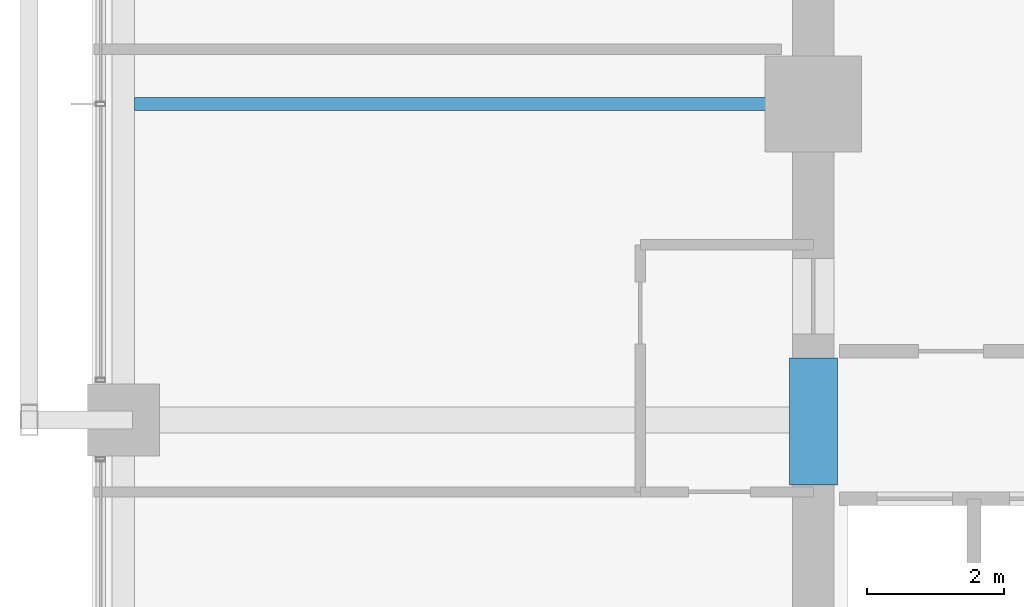
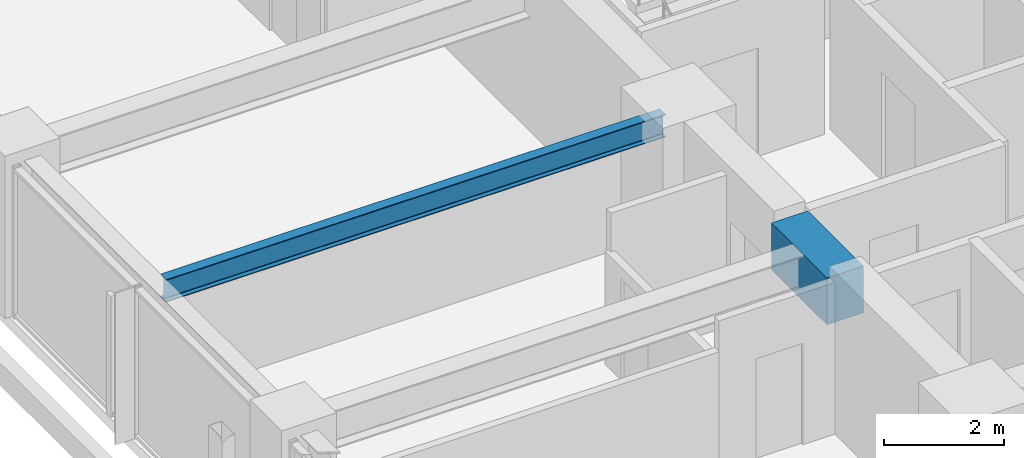
# One storey, part 10 of 38: 2 beams.
"""IFC4 building model written with IfcOpenShell, lengths in metres."""

import ifcopenshell
import ifcopenshell.guid

model = None  # the IFC model being written
_history = None  # IfcOwnerHistory: only IFC2X3 demands one
_inside = {}  # id of a spatial element -> (the spatial element, [elements in it])
_under = {}  # id of a project, library or spatial element -> (it, [spatial elements below it])
_declared = {}  # id of a project -> (the project, [libraries it declares])
_typed = {}  # id of a type object -> (the type object, [elements of that type])
_made_of = {}  # id of a material, layer set ... -> (it, [elements and type objects made of it])


def new_model(schema):
    """Start an empty IFC model of exactly this schema.

    Asked for "IFC4X3", IfcOpenShell would pick the latest addendum, in which some entities
    have other attributes; the version numbers below select the first issue.
    IFC2X3 requires an IfcOwnerHistory on every rooted entity: one is made here for all.
    """
    global model, _history
    if schema == "IFC4X3":
        model = ifcopenshell.file(schema_version=(4, 3, 0, 0))
    else:
        model = ifcopenshell.file(schema=schema)
    _inside.clear()
    _under.clear()
    _declared.clear()
    _typed.clear()
    _made_of.clear()
    _history = None
    if model.schema == "IFC2X3":
        org = make("IfcOrganization", Name="unknown")
        user = make(
            "IfcPersonAndOrganization",
            ThePerson=make("IfcPerson", FamilyName="unknown"),
            TheOrganization=org,
        )
        app = make(
            "IfcApplication",
            ApplicationDeveloper=org,
            Version="unknown",
            ApplicationFullName="unknown",
            ApplicationIdentifier="unknown",
        )
        _history = make(
            "IfcOwnerHistory",
            OwningUser=user,
            OwningApplication=app,
            ChangeAction="ADDED",
            CreationDate=0,
        )
    return model


def make(cls, **values):
    """One entity of the class cls with the attributes given. An attribute that is None is left unset."""
    return model.create_entity(
        cls, **{name: value for name, value in values.items() if value is not None}
    )


def rooted(cls, **values):
    """An entity with a GlobalId (a new one), such as an element, a storey or a relation."""
    return make(cls, GlobalId=ifcopenshell.guid.new(), OwnerHistory=_history, **values)


def si_unit(unit_type, name, prefix=None):
    """IfcSIUnit, for example si_unit("LENGTHUNIT", "METRE", prefix="MILLI")."""
    return make("IfcSIUnit", UnitType=unit_type, Prefix=prefix, Name=name)


def assignment(units):
    """IfcUnitAssignment: the units of a project."""
    return None if units is None else make("IfcUnitAssignment", Units=units)


def point(xyz):
    """IfcCartesianPoint."""
    return None if xyz is None else make("IfcCartesianPoint", Coordinates=xyz)


def direction(xyz):
    """IfcDirection."""
    return None if xyz is None else make("IfcDirection", DirectionRatios=xyz)


def frame(location, z_axis=None, x_axis=None):
    """IfcAxis2Placement3D, a coordinate frame: its origin and axes. An axis left out is left unset."""
    return make(
        "IfcAxis2Placement3D",
        Location=point(location),
        Axis=direction(z_axis),
        RefDirection=direction(x_axis),
    )


def frame_2d(location, x_axis=None):
    """IfcAxis2Placement2D, a coordinate frame in the plane: its origin and x axis."""
    return make(
        "IfcAxis2Placement2D", Location=point(location), RefDirection=direction(x_axis)
    )


def origin():
    """The frame at (0, 0, 0) with its axes left unset."""
    return frame((0.0, 0.0, 0.0))


def origin_2d():
    """The frame at (0, 0) in the plane with its x axis left unset."""
    return frame_2d((0.0, 0.0))


def place(relative_to, where):
    """IfcLocalPlacement: puts the frame where relative to a parent placement (None: the world)."""
    return make(
        "IfcLocalPlacement", PlacementRelTo=relative_to, RelativePlacement=where
    )


def context(
    kind, dimensions, precision=None, world=None, true_north=None, identifier=None
):
    """IfcGeometricRepresentationContext, for example the 3D "Model" context."""
    return make(
        "IfcGeometricRepresentationContext",
        ContextIdentifier=identifier,
        ContextType=kind,
        CoordinateSpaceDimension=dimensions,
        Precision=precision,
        WorldCoordinateSystem=world,
        TrueNorth=true_north,
    )


def subcontext(parent, identifier, kind, view, scale=None):
    """IfcGeometricRepresentationSubContext, for example "Body" below "Model"."""
    return make(
        "IfcGeometricRepresentationSubContext",
        ContextIdentifier=identifier,
        ContextType=kind,
        ParentContext=parent,
        TargetScale=scale,
        TargetView=view,
    )


def project(units=None, contexts=None):
    """IfcProject with its units and contexts."""
    return rooted(
        "IfcProject",
        Name="project",
        RepresentationContexts=contexts,
        UnitsInContext=assignment(units),
    )


def spatial(cls, under=None, at=None, **own):
    """A site, building, storey or space (cls), placed at a placement, below another one or the project."""
    s = rooted(cls, ObjectPlacement=at, **own)
    if under is not None:
        _under.setdefault(under.id(), (under, []))[1].append(s)
    return s


def profile(cls, at=None, kind="AREA", **sizes):
    """A parametric profile (cls). Its sizes go by their IFC names, for example OverallWidth=200.0."""
    return make(cls, ProfileType=kind, Position=at, **sizes)


def rectangle(**sizes):
    """IfcRectangleProfileDef."""
    return profile("IfcRectangleProfileDef", **sizes)


def i_section(**sizes):
    """IfcIShapeProfileDef."""
    return profile("IfcIShapeProfileDef", **sizes)


def extrude(swept, where, along, depth):
    """IfcExtrudedAreaSolid: the profile swept, set in the frame where, extruded along a direction by depth."""
    return make(
        "IfcExtrudedAreaSolid",
        SweptArea=swept,
        Position=where,
        ExtrudedDirection=direction(along),
        Depth=depth,
    )


def shape(context_of_items, identifier, shape_type, items):
    """IfcShapeRepresentation: the items that make up one representation, for example the "Body"."""
    return make(
        "IfcShapeRepresentation",
        ContextOfItems=context_of_items,
        RepresentationIdentifier=identifier,
        RepresentationType=shape_type,
        Items=items,
    )


def material(Name=None, Category=None):
    """IfcMaterial."""
    return make("IfcMaterial", Name=Name, Category=Category)


def material_profile(
    of_material, cross_section, Name=None, Category=None, Priority=None
):
    """IfcMaterialProfile: a cross section and its material."""
    return make(
        "IfcMaterialProfile",
        Name=Name,
        Material=of_material,
        Profile=cross_section,
        Priority=Priority,
        Category=Category,
    )


def profile_set(profiles, Name=None, composite=None):
    """IfcMaterialProfileSet."""
    return make(
        "IfcMaterialProfileSet",
        Name=Name,
        MaterialProfiles=profiles,
        CompositeProfile=composite,
    )


def made_of(thing, what):
    """Note that an element or type object is made of a material, layer set ...; save() writes the relation."""
    if what is not None:
        _made_of.setdefault(what.id(), (what, []))[1].append(thing)
    return thing


def type_object(cls, material=None, **own):
    """A type object (cls), such as IfcWallType, which elements share."""
    return made_of(rooted(cls, **own), material)


def element(
    cls,
    number,
    at=None,
    inside=None,
    cuts=None,
    type_object=None,
    material=None,
    context=None,
    identifier="Body",
    shape_type=None,
    held_by="IfcProductDefinitionShape",
    body=None,
    shapes=None,
    **own,
):
    """One element of the class cls, such as IfcWall. Its Tag is "e" and its number.

    at: its placement. inside: the storey or other place that contains it. cuts: it is an
    opening in that element (IfcRelVoidsElement). A single representation is given by context,
    identifier, shape_type and body (its items); several are given by shapes. held_by: the class
    of the entity that holds the representations. save() writes the other relations.
    """
    e = rooted(cls, Tag="e%d" % number, ObjectPlacement=at, **own)
    if body is not None:
        shapes = [shape(context, identifier, shape_type, body)]
    if shapes is not None:
        e.Representation = make(held_by, Representations=shapes)
    if inside is not None:
        _inside.setdefault(inside.id(), (inside, []))[1].append(e)
    if cuts is not None:
        rooted(
            "IfcRelVoidsElement", RelatingBuildingElement=cuts, RelatedOpeningElement=e
        )
    if type_object is not None:
        _typed.setdefault(type_object.id(), (type_object, []))[1].append(e)
    return made_of(e, material)


def aggregate(whole, parts):
    """IfcRelAggregates: a whole, such as a stair, and the parts it consists of."""
    return rooted("IfcRelAggregates", RelatingObject=whole, RelatedObjects=parts)


def save(model, path):
    """Write the relations noted so far, then the file.

    IfcRelAggregates (storeys below a building ...), IfcRelContainedInSpatialStructure (elements
    in a storey), IfcRelDefinesByType, IfcRelAssociatesMaterial and IfcRelDeclares: one each for
    every whole, place, type object, material and project.
    """
    for whole, parts in _under.values():
        aggregate(whole, parts)
    for where, things in _inside.values():
        rooted(
            "IfcRelContainedInSpatialStructure",
            RelatedElements=things,
            RelatingStructure=where,
        )
    for kind, things in _typed.values():
        rooted("IfcRelDefinesByType", RelatedObjects=things, RelatingType=kind)
    for what, things in _made_of.values():
        rooted("IfcRelAssociatesMaterial", RelatedObjects=things, RelatingMaterial=what)
    for by, libraries in _declared.values():
        rooted("IfcRelDeclares", RelatingContext=by, RelatedDefinitions=libraries)
    model.write(path)


model = new_model("IFC4")

# Units and contexts
model_context = context("Model", 3, precision=1e-05, world=origin(), true_north=direction((0.0, 1.0)))
body_context = subcontext(model_context, "Body", "Model", "MODEL_VIEW")
ifc_project = project(units=[si_unit("LENGTHUNIT", "METRE"), si_unit("AREAUNIT", "SQUARE_METRE"), si_unit("VOLUMEUNIT", "CUBIC_METRE"), si_unit("PLANEANGLEUNIT", "RADIAN"), si_unit("MASSUNIT", "GRAM", prefix="KILO")], contexts=[model_context])

# Site, building, storey
site_placement = place(None, origin())
site = spatial("IfcSite", under=ifc_project, at=site_placement, CompositionType="ELEMENT")
building_placement = place(site_placement, origin())
building = spatial("IfcBuilding", under=site, at=building_placement, Name="Kolvaren Belvedere", CompositionType="ELEMENT")
storey_placement = place(building_placement, frame((0.0, 0.0, 72.199951171875)))
storey = spatial("IfcBuildingStorey", under=building, at=storey_placement, Name="L20", CompositionType="ELEMENT", Elevation=72.199951171875)

# Beams
ifc_material_1 = material(Name="Structural steel ASTM A992 Grade 50", Category="steel")
ifc_material_profile_1 = material_profile(ifc_material_1, i_section(OverallWidth=0.19091796875, OverallDepth=0.4599609375, WebThickness=0.010009765625, FlangeThickness=0.01611328125, FilletRadius=0.014892578125, at=origin_2d()), Name="W18X55")
ifc_profile_set_1 = profile_set([ifc_material_profile_1], Name="Structural steel ASTM A992 Grade 50")
beam_type_1 = type_object("IfcBeamType", Name="BM-JOIST-W18X55", PredefinedType="BEAM", material=ifc_profile_set_1)
beam_1_placement = place(storey_placement, frame((-10.199951171875, 0.0, 2.85009765625), z_axis=(-1.0, 0.0, 0.0), x_axis=(0.0, -1.0, 0.0)))
element("IfcBeam", 1, at=beam_1_placement, inside=storey, type_object=beam_type_1, Name="L20 West Centre Floor Beam", PredefinedType="BEAM", context=body_context, shape_type="SweptSolid", body=[
    extrude(i_section(OverallWidth=0.19091796875, OverallDepth=0.4599609375, WebThickness=0.010009765625, FlangeThickness=0.01611328125, FilletRadius=0.014892578125, at=origin_2d()), origin(), (0.0, 0.0, 1.0), 9.587646484375),
])
ifc_material_2 = material(Name="Concrete C60/75", Category="concrete")
ifc_material_profile_2 = material_profile(ifc_material_2, rectangle(XDim=0.699951171875, YDim=0.949951171875, at=origin_2d()), Name="RC 700X950")
ifc_profile_set_2 = profile_set([ifc_material_profile_2], Name="Concrete C60/75")
beam_type_2 = type_object("IfcBeamType", Name="BM-LINT-950", PredefinedType="LINTEL", material=ifc_profile_set_2)
beam_2_placement = place(storey_placement, frame((-9.89990234375, -5.550048828125, 2.60498046875), z_axis=(0.0, 1.0, 0.0), x_axis=(-1.0, 0.0, 0.0)))
element("IfcBeam", 2, at=beam_2_placement, inside=storey, type_object=beam_type_2, Name="L20 West Core Coupling Lintel", PredefinedType="LINTEL", context=body_context, shape_type="SweptSolid", body=[
    extrude(rectangle(XDim=0.699951171875, YDim=0.949951171875, at=origin_2d()), origin(), (0.0, 0.0, 1.0), 1.85009765625),
])

save(model, "model.ifc")
